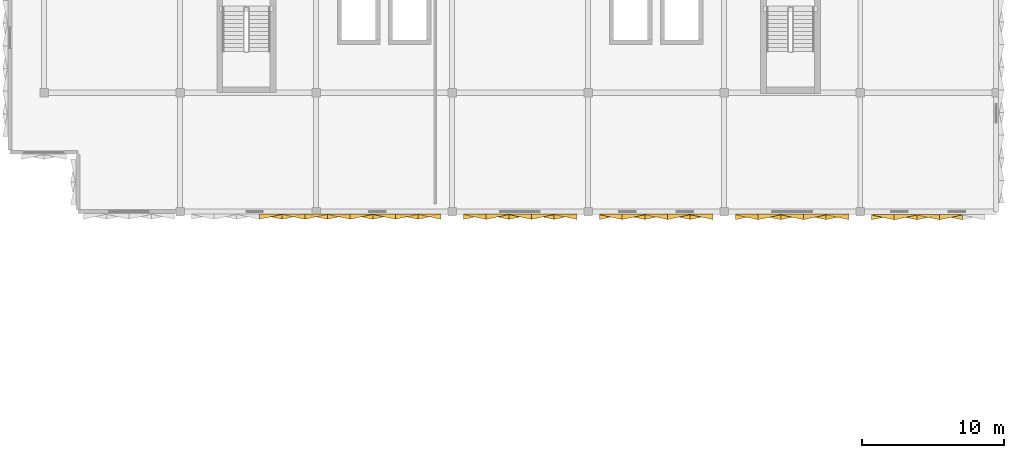
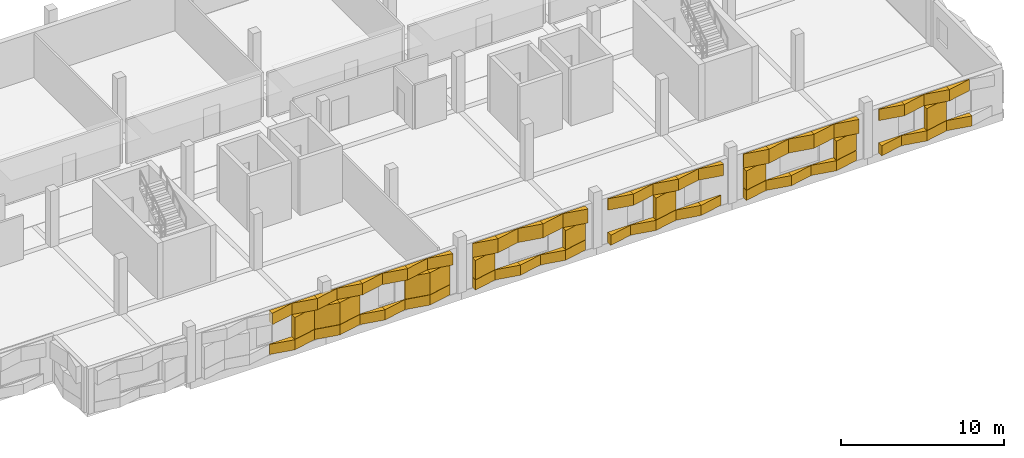
# One storey, part 14 of 18: 65 coverings.
"""IFC4 building model written with IfcOpenShell, lengths in metres."""

from ifc_helpers import new_model, si_unit, direction, frame, origin, place, context, subcontext, project, spatial, polyline, outline, extrude, material, type_object, element, save


model = new_model("IFC4")

# Units and contexts
model_context = context("Model", 3, precision=1e-05, world=origin(), true_north=direction((0.0, 1.0)))
body_context = subcontext(model_context, "Body", "Model", "MODEL_VIEW")
ifc_project = project(units=[si_unit("LENGTHUNIT", "METRE"), si_unit("AREAUNIT", "SQUARE_METRE"), si_unit("VOLUMEUNIT", "CUBIC_METRE"), si_unit("PLANEANGLEUNIT", "RADIAN"), si_unit("MASSUNIT", "GRAM", prefix="KILO")], contexts=[model_context])

# Site, building, storey
site_placement = place(None, origin())
site = spatial("IfcSite", under=ifc_project, at=site_placement, CompositionType="ELEMENT")
building_placement = place(site_placement, origin())
building = spatial("IfcBuilding", under=site, at=building_placement, Name="Oolite Switchyard Hospital", CompositionType="ELEMENT")
storey_placement = place(building_placement, frame((0.0, 0.0, 26.199951171875)))
storey = spatial("IfcBuildingStorey", under=building, at=storey_placement, Name="L06", CompositionType="ELEMENT", Elevation=26.199951171875)

# Coverings
ifc_material = material(Name="Precast oolitic limestone architectural concrete C40/50", Category="masonry")
covering_type = type_object("IfcCoveringType", Name="COV-CHEV-COOL", PredefinedType="CLADDING", material=ifc_material)
covering_1_placement = place(storey_placement, frame((172.0, 100.64990234375, 0.050048828125), z_axis=(0.0, 0.0, 1.0), x_axis=(-1.0, 0.0, 0.0)))
element("IfcCovering", 1, at=covering_1_placement, inside=storey, type_object=covering_type, Name="L06 Chevron Precast Oolite Panel 1444", PredefinedType="CLADDING", context=body_context, shape_type="SweptSolid", body=[
    extrude(outline(polyline([(0.0, 0.0), (1.60009765625, 0.0), (1.60009765625, 0.385009765625), (0.0, 0.044921875), (0.0, 0.0)])), origin(), (0.0, 0.0, 1.0), 0.760009765625),
])
covering_2_placement = place(storey_placement, frame((172.0, 100.64990234375, 2.489990234375), z_axis=(0.0, 0.0, 1.0), x_axis=(-1.0, 0.0, 0.0)))
element("IfcCovering", 2, at=covering_2_placement, inside=storey, type_object=covering_type, Name="L06 Chevron Precast Oolite Panel 1445", PredefinedType="CLADDING", context=body_context, shape_type="SweptSolid", body=[
    extrude(outline(polyline([(0.0, 0.0), (1.60009765625, 0.0), (1.60009765625, 0.044921875), (0.0, 0.385009765625), (0.0, 0.0)])), origin(), (0.0, 0.0, 1.0), 0.85009765625),
])
covering_3_placement = place(storey_placement, frame((172.0, 100.64990234375, 0.830078125), z_axis=(0.0, 0.0, 1.0), x_axis=(-1.0, 0.0, 0.0)))
element("IfcCovering", 3, at=covering_3_placement, inside=storey, type_object=covering_type, Name="L06 Chevron Precast Oolite Panel 1446", PredefinedType="CLADDING", context=body_context, shape_type="SweptSolid", body=[
    extrude(outline(polyline([(0.0, 0.0), (1.60009765625, 0.0), (1.60009765625, 0.385009765625), (0.0, 0.044921875), (0.0, 0.0)])), origin(), (0.0, 0.0, 1.0), 1.639892578125),
])
covering_4_placement = place(storey_placement, frame((170.39990234375, 100.64990234375, 0.050048828125), z_axis=(0.0, 0.0, 1.0), x_axis=(-1.0, 0.0, 0.0)))
element("IfcCovering", 4, at=covering_4_placement, inside=storey, type_object=covering_type, Name="L06 Chevron Precast Oolite Panel 1447", PredefinedType="CLADDING", context=body_context, shape_type="SweptSolid", body=[
    extrude(outline(polyline([(0.0, 0.0), (1.599853515625, 0.0), (1.599853515625, 0.044921875), (0.0, 0.385009765625), (0.0, 0.0)])), origin(), (0.0, 0.0, 1.0), 0.760009765625),
])
covering_5_placement = place(storey_placement, frame((170.39990234375, 100.64990234375, 2.489990234375), z_axis=(0.0, 0.0, 1.0), x_axis=(-1.0, 0.0, 0.0)))
element("IfcCovering", 5, at=covering_5_placement, inside=storey, type_object=covering_type, Name="L06 Chevron Precast Oolite Panel 1448", PredefinedType="CLADDING", context=body_context, shape_type="SweptSolid", body=[
    extrude(outline(polyline([(0.0, 0.0), (1.599853515625, 0.0), (1.599853515625, 0.385009765625), (0.0, 0.044921875), (0.0, 0.0)])), origin(), (0.0, 0.0, 1.0), 0.85009765625),
])
covering_6_placement = place(storey_placement, frame((170.39990234375, 100.64990234375, 0.830078125), z_axis=(0.0, 0.0, 1.0), x_axis=(-1.0, 0.0, 0.0)))
element("IfcCovering", 6, at=covering_6_placement, inside=storey, type_object=covering_type, Name="L06 Chevron Precast Oolite Panel 1449", PredefinedType="CLADDING", context=body_context, shape_type="SweptSolid", body=[
    extrude(outline(polyline([(0.0, 0.0), (1.599853515625, 0.0), (1.599853515625, 0.044921875), (0.0, 0.385009765625), (0.0, 0.0)])), origin(), (0.0, 0.0, 1.0), 1.639892578125),
])
covering_7_placement = place(storey_placement, frame((168.800048828125, 100.64990234375, 0.050048828125), z_axis=(0.0, 0.0, 1.0), x_axis=(-1.0, 0.0, 0.0)))
element("IfcCovering", 7, at=covering_7_placement, inside=storey, type_object=covering_type, Name="L06 Chevron Precast Oolite Panel 1450", PredefinedType="CLADDING", context=body_context, shape_type="SweptSolid", body=[
    extrude(outline(polyline([(0.0, 0.0), (1.60009765625, 0.0), (1.60009765625, 0.385009765625), (0.0, 0.044921875), (0.0, 0.0)])), origin(), (0.0, 0.0, 1.0), 0.760009765625),
])
covering_8_placement = place(storey_placement, frame((168.800048828125, 100.64990234375, 2.489990234375), z_axis=(0.0, 0.0, 1.0), x_axis=(-1.0, 0.0, 0.0)))
element("IfcCovering", 8, at=covering_8_placement, inside=storey, type_object=covering_type, Name="L06 Chevron Precast Oolite Panel 1451", PredefinedType="CLADDING", context=body_context, shape_type="SweptSolid", body=[
    extrude(outline(polyline([(0.0, 0.0), (1.60009765625, 0.0), (1.60009765625, 0.044921875), (0.0, 0.385009765625), (0.0, 0.0)])), origin(), (0.0, 0.0, 1.0), 0.85009765625),
])
covering_9_placement = place(storey_placement, frame((167.199951171875, 100.64990234375, 0.050048828125), z_axis=(0.0, 0.0, 1.0), x_axis=(-1.0, 0.0, 0.0)))
element("IfcCovering", 9, at=covering_9_placement, inside=storey, type_object=covering_type, Name="L06 Chevron Precast Oolite Panel 1452", PredefinedType="CLADDING", context=body_context, shape_type="SweptSolid", body=[
    extrude(outline(polyline([(0.0, 0.0), (1.599853515625, 0.0), (1.599853515625, 0.044921875), (0.0, 0.385009765625), (0.0, 0.0)])), origin(), (0.0, 0.0, 1.0), 0.760009765625),
])
covering_10_placement = place(storey_placement, frame((167.199951171875, 100.64990234375, 2.489990234375), z_axis=(0.0, 0.0, 1.0), x_axis=(-1.0, 0.0, 0.0)))
element("IfcCovering", 10, at=covering_10_placement, inside=storey, type_object=covering_type, Name="L06 Chevron Precast Oolite Panel 1453", PredefinedType="CLADDING", context=body_context, shape_type="SweptSolid", body=[
    extrude(outline(polyline([(0.0, 0.0), (1.599853515625, 0.0), (1.599853515625, 0.385009765625), (0.0, 0.044921875), (0.0, 0.0)])), origin(), (0.0, 0.0, 1.0), 0.85009765625),
])
covering_11_placement = place(storey_placement, frame((165.60009765625, 100.64990234375, 0.050048828125), z_axis=(0.0, 0.0, 1.0), x_axis=(-1.0, 0.0, 0.0)))
element("IfcCovering", 11, at=covering_11_placement, inside=storey, type_object=covering_type, Name="L06 Chevron Precast Oolite Panel 1454", PredefinedType="CLADDING", context=body_context, shape_type="SweptSolid", body=[
    extrude(outline(polyline([(0.0, 0.0), (1.60009765625, 0.0), (1.60009765625, 0.385009765625), (0.0, 0.044921875), (0.0, 0.0)])), origin(), (0.0, 0.0, 1.0), 0.760009765625),
])
covering_12_placement = place(storey_placement, frame((165.60009765625, 100.64990234375, 2.489990234375), z_axis=(0.0, 0.0, 1.0), x_axis=(-1.0, 0.0, 0.0)))
element("IfcCovering", 12, at=covering_12_placement, inside=storey, type_object=covering_type, Name="L06 Chevron Precast Oolite Panel 1455", PredefinedType="CLADDING", context=body_context, shape_type="SweptSolid", body=[
    extrude(outline(polyline([(0.0, 0.0), (1.60009765625, 0.0), (1.60009765625, 0.044921875), (0.0, 0.385009765625), (0.0, 0.0)])), origin(), (0.0, 0.0, 1.0), 0.85009765625),
])
covering_13_placement = place(storey_placement, frame((165.60009765625, 100.64990234375, 0.830078125), z_axis=(0.0, 0.0, 1.0), x_axis=(-1.0, 0.0, 0.0)))
element("IfcCovering", 13, at=covering_13_placement, inside=storey, type_object=covering_type, Name="L06 Chevron Precast Oolite Panel 1456", PredefinedType="CLADDING", context=body_context, shape_type="SweptSolid", body=[
    extrude(outline(polyline([(0.0, 0.0), (1.60009765625, 0.0), (1.60009765625, 0.385009765625), (0.0, 0.044921875), (0.0, 0.0)])), origin(), (0.0, 0.0, 1.0), 1.639892578125),
])
covering_14_placement = place(storey_placement, frame((164.0, 100.64990234375, 0.050048828125), z_axis=(0.0, 0.0, 1.0), x_axis=(-1.0, 0.0, 0.0)))
element("IfcCovering", 14, at=covering_14_placement, inside=storey, type_object=covering_type, Name="L06 Chevron Precast Oolite Panel 1457", PredefinedType="CLADDING", context=body_context, shape_type="SweptSolid", body=[
    extrude(outline(polyline([(0.0, 0.0), (1.60009765625, 0.0), (1.60009765625, 0.044921875), (0.0, 0.385009765625), (0.0, 0.0)])), origin(), (0.0, 0.0, 1.0), 0.760009765625),
])
covering_15_placement = place(storey_placement, frame((164.0, 100.64990234375, 2.489990234375), z_axis=(0.0, 0.0, 1.0), x_axis=(-1.0, 0.0, 0.0)))
element("IfcCovering", 15, at=covering_15_placement, inside=storey, type_object=covering_type, Name="L06 Chevron Precast Oolite Panel 1458", PredefinedType="CLADDING", context=body_context, shape_type="SweptSolid", body=[
    extrude(outline(polyline([(0.0, 0.0), (1.60009765625, 0.0), (1.60009765625, 0.385009765625), (0.0, 0.044921875), (0.0, 0.0)])), origin(), (0.0, 0.0, 1.0), 0.85009765625),
])
covering_16_placement = place(storey_placement, frame((164.0, 100.64990234375, 0.830078125), z_axis=(0.0, 0.0, 1.0), x_axis=(-1.0, 0.0, 0.0)))
element("IfcCovering", 16, at=covering_16_placement, inside=storey, type_object=covering_type, Name="L06 Chevron Precast Oolite Panel 1459", PredefinedType="CLADDING", context=body_context, shape_type="SweptSolid", body=[
    extrude(outline(polyline([(0.0, 0.0), (1.60009765625, 0.0), (1.60009765625, 0.044921875), (0.0, 0.385009765625), (0.0, 0.0)])), origin(), (0.0, 0.0, 1.0), 1.639892578125),
])
covering_17_placement = place(storey_placement, frame((162.39990234375, 100.64990234375, 0.050048828125), z_axis=(0.0, 0.0, 1.0), x_axis=(-1.0, 0.0, 0.0)))
element("IfcCovering", 17, at=covering_17_placement, inside=storey, type_object=covering_type, Name="L06 Chevron Precast Oolite Panel 1460", PredefinedType="CLADDING", context=body_context, shape_type="SweptSolid", body=[
    extrude(outline(polyline([(0.0, 0.0), (1.599853515625, 0.0), (1.599853515625, 0.385009765625), (0.0, 0.044921875), (0.0, 0.0)])), origin(), (0.0, 0.0, 1.0), 0.760009765625),
])
covering_18_placement = place(storey_placement, frame((162.39990234375, 100.64990234375, 2.489990234375), z_axis=(0.0, 0.0, 1.0), x_axis=(-1.0, 0.0, 0.0)))
element("IfcCovering", 18, at=covering_18_placement, inside=storey, type_object=covering_type, Name="L06 Chevron Precast Oolite Panel 1461", PredefinedType="CLADDING", context=body_context, shape_type="SweptSolid", body=[
    extrude(outline(polyline([(0.0, 0.0), (1.599853515625, 0.0), (1.599853515625, 0.044921875), (0.0, 0.385009765625), (0.0, 0.0)])), origin(), (0.0, 0.0, 1.0), 0.85009765625),
])
covering_19_placement = place(storey_placement, frame((162.39990234375, 100.64990234375, 0.830078125), z_axis=(0.0, 0.0, 1.0), x_axis=(-1.0, 0.0, 0.0)))
element("IfcCovering", 19, at=covering_19_placement, inside=storey, type_object=covering_type, Name="L06 Chevron Precast Oolite Panel 1462", PredefinedType="CLADDING", context=body_context, shape_type="SweptSolid", body=[
    extrude(outline(polyline([(0.0, 0.0), (1.599853515625, 0.0), (1.599853515625, 0.385009765625), (0.0, 0.044921875), (0.0, 0.0)])), origin(), (0.0, 0.0, 1.0), 1.639892578125),
])
covering_20_placement = place(storey_placement, frame((160.800048828125, 100.64990234375, 0.050048828125), z_axis=(0.0, 0.0, 1.0), x_axis=(-1.0, 0.0, 0.0)))
element("IfcCovering", 20, at=covering_20_placement, inside=storey, type_object=covering_type, Name="L06 Chevron Precast Oolite Panel 1463", PredefinedType="CLADDING", context=body_context, shape_type="SweptSolid", body=[
    extrude(outline(polyline([(0.0, 0.0), (1.60009765625, 0.0), (1.60009765625, 0.044921875), (0.0, 0.385009765625), (0.0, 0.0)])), origin(), (0.0, 0.0, 1.0), 0.760009765625),
])
covering_21_placement = place(storey_placement, frame((160.800048828125, 100.64990234375, 2.489990234375), z_axis=(0.0, 0.0, 1.0), x_axis=(-1.0, 0.0, 0.0)))
element("IfcCovering", 21, at=covering_21_placement, inside=storey, type_object=covering_type, Name="L06 Chevron Precast Oolite Panel 1464", PredefinedType="CLADDING", context=body_context, shape_type="SweptSolid", body=[
    extrude(outline(polyline([(0.0, 0.0), (1.60009765625, 0.0), (1.60009765625, 0.385009765625), (0.0, 0.044921875), (0.0, 0.0)])), origin(), (0.0, 0.0, 1.0), 0.85009765625),
])
covering_22_placement = place(storey_placement, frame((181.60009765625, 100.639892578125, 0.050048828125), z_axis=(0.0, 0.0, 1.0), x_axis=(-1.0, 0.0, 0.0)))
element("IfcCovering", 22, at=covering_22_placement, inside=storey, type_object=covering_type, Name="L06 Chevron Precast Oolite Panel 1473", PredefinedType="CLADDING", context=body_context, shape_type="SweptSolid", body=[
    extrude(outline(polyline([(0.0, 0.0), (1.60009765625, 0.0), (1.60009765625, 0.385009765625), (0.0, 0.044921875), (0.0, 0.0)])), origin(), (0.0, 0.0, 1.0), 0.760009765625),
])
covering_23_placement = place(storey_placement, frame((181.60009765625, 100.639892578125, 2.2900390625), z_axis=(0.0, 0.0, 1.0), x_axis=(-1.0, 0.0, 0.0)))
element("IfcCovering", 23, at=covering_23_placement, inside=storey, type_object=covering_type, Name="L06 Chevron Precast Oolite Panel 1474", PredefinedType="CLADDING", context=body_context, shape_type="SweptSolid", body=[
    extrude(outline(polyline([(0.0, 0.0), (1.60009765625, 0.0), (1.60009765625, 0.044921875), (0.0, 0.385009765625), (0.0, 0.0)])), origin(), (0.0, 0.0, 1.0), 1.050048828125),
])
covering_24_placement = place(storey_placement, frame((181.60009765625, 100.639892578125, 0.830078125), z_axis=(0.0, 0.0, 1.0), x_axis=(-1.0, 0.0, 0.0)))
element("IfcCovering", 24, at=covering_24_placement, inside=storey, type_object=covering_type, Name="L06 Chevron Precast Oolite Panel 1475", PredefinedType="CLADDING", context=body_context, shape_type="SweptSolid", body=[
    extrude(outline(polyline([(0.0, 0.0), (1.60009765625, 0.0), (1.60009765625, 0.385009765625), (0.0, 0.044921875), (0.0, 0.0)])), origin(), (0.0, 0.0, 1.0), 1.43994140625),
])
covering_25_placement = place(storey_placement, frame((180.0, 100.639892578125, 0.050048828125), z_axis=(0.0, 0.0, 1.0), x_axis=(-1.0, 0.0, 0.0)))
element("IfcCovering", 25, at=covering_25_placement, inside=storey, type_object=covering_type, Name="L06 Chevron Precast Oolite Panel 1476", PredefinedType="CLADDING", context=body_context, shape_type="SweptSolid", body=[
    extrude(outline(polyline([(0.0, 0.0), (1.60009765625, 0.0), (1.60009765625, 0.044921875), (0.0, 0.385009765625), (0.0, 0.0)])), origin(), (0.0, 0.0, 1.0), 0.760009765625),
])
covering_26_placement = place(storey_placement, frame((180.0, 100.639892578125, 2.2900390625), z_axis=(0.0, 0.0, 1.0), x_axis=(-1.0, 0.0, 0.0)))
element("IfcCovering", 26, at=covering_26_placement, inside=storey, type_object=covering_type, Name="L06 Chevron Precast Oolite Panel 1477", PredefinedType="CLADDING", context=body_context, shape_type="SweptSolid", body=[
    extrude(outline(polyline([(0.0, 0.0), (1.60009765625, 0.0), (1.60009765625, 0.385009765625), (0.0, 0.044921875), (0.0, 0.0)])), origin(), (0.0, 0.0, 1.0), 1.050048828125),
])
covering_27_placement = place(storey_placement, frame((178.39990234375, 100.639892578125, 0.050048828125), z_axis=(0.0, 0.0, 1.0), x_axis=(-1.0, 0.0, 0.0)))
element("IfcCovering", 27, at=covering_27_placement, inside=storey, type_object=covering_type, Name="L06 Chevron Precast Oolite Panel 1478", PredefinedType="CLADDING", context=body_context, shape_type="SweptSolid", body=[
    extrude(outline(polyline([(0.0, 0.0), (1.599853515625, 0.0), (1.599853515625, 0.385009765625), (0.0, 0.044921875), (0.0, 0.0)])), origin(), (0.0, 0.0, 1.0), 0.760009765625),
])
covering_28_placement = place(storey_placement, frame((178.39990234375, 100.639892578125, 2.2900390625), z_axis=(0.0, 0.0, 1.0), x_axis=(-1.0, 0.0, 0.0)))
element("IfcCovering", 28, at=covering_28_placement, inside=storey, type_object=covering_type, Name="L06 Chevron Precast Oolite Panel 1479", PredefinedType="CLADDING", context=body_context, shape_type="SweptSolid", body=[
    extrude(outline(polyline([(0.0, 0.0), (1.599853515625, 0.0), (1.599853515625, 0.044921875), (0.0, 0.385009765625), (0.0, 0.0)])), origin(), (0.0, 0.0, 1.0), 1.050048828125),
])
covering_29_placement = place(storey_placement, frame((176.800048828125, 100.639892578125, 0.050048828125), z_axis=(0.0, 0.0, 1.0), x_axis=(-1.0, 0.0, 0.0)))
element("IfcCovering", 29, at=covering_29_placement, inside=storey, type_object=covering_type, Name="L06 Chevron Precast Oolite Panel 1480", PredefinedType="CLADDING", context=body_context, shape_type="SweptSolid", body=[
    extrude(outline(polyline([(0.0, 0.0), (1.60009765625, 0.0), (1.60009765625, 0.044921875), (0.0, 0.385009765625), (0.0, 0.0)])), origin(), (0.0, 0.0, 1.0), 0.760009765625),
])
covering_30_placement = place(storey_placement, frame((176.800048828125, 100.639892578125, 2.2900390625), z_axis=(0.0, 0.0, 1.0), x_axis=(-1.0, 0.0, 0.0)))
element("IfcCovering", 30, at=covering_30_placement, inside=storey, type_object=covering_type, Name="L06 Chevron Precast Oolite Panel 1481", PredefinedType="CLADDING", context=body_context, shape_type="SweptSolid", body=[
    extrude(outline(polyline([(0.0, 0.0), (1.60009765625, 0.0), (1.60009765625, 0.385009765625), (0.0, 0.044921875), (0.0, 0.0)])), origin(), (0.0, 0.0, 1.0), 1.050048828125),
])
covering_31_placement = place(storey_placement, frame((175.199951171875, 100.639892578125, 0.050048828125), z_axis=(0.0, 0.0, 1.0), x_axis=(-1.0, 0.0, 0.0)))
element("IfcCovering", 31, at=covering_31_placement, inside=storey, type_object=covering_type, Name="L06 Chevron Precast Oolite Panel 1482", PredefinedType="CLADDING", context=body_context, shape_type="SweptSolid", body=[
    extrude(outline(polyline([(0.0, 0.0), (1.599853515625, 0.0), (1.599853515625, 0.385009765625), (0.0, 0.044921875), (0.0, 0.0)])), origin(), (0.0, 0.0, 1.0), 0.760009765625),
])
covering_32_placement = place(storey_placement, frame((175.199951171875, 100.639892578125, 2.2900390625), z_axis=(0.0, 0.0, 1.0), x_axis=(-1.0, 0.0, 0.0)))
element("IfcCovering", 32, at=covering_32_placement, inside=storey, type_object=covering_type, Name="L06 Chevron Precast Oolite Panel 1483", PredefinedType="CLADDING", context=body_context, shape_type="SweptSolid", body=[
    extrude(outline(polyline([(0.0, 0.0), (1.599853515625, 0.0), (1.599853515625, 0.044921875), (0.0, 0.385009765625), (0.0, 0.0)])), origin(), (0.0, 0.0, 1.0), 1.050048828125),
])
covering_33_placement = place(storey_placement, frame((175.199951171875, 100.639892578125, 0.830078125), z_axis=(0.0, 0.0, 1.0), x_axis=(-1.0, 0.0, 0.0)))
element("IfcCovering", 33, at=covering_33_placement, inside=storey, type_object=covering_type, Name="L06 Chevron Precast Oolite Panel 1484", PredefinedType="CLADDING", context=body_context, shape_type="SweptSolid", body=[
    extrude(outline(polyline([(0.0, 0.0), (1.599853515625, 0.0), (1.599853515625, 0.385009765625), (0.0, 0.044921875), (0.0, 0.0)])), origin(), (0.0, 0.0, 1.0), 1.43994140625),
])
covering_34_placement = place(storey_placement, frame((191.199951171875, 100.6298828125, 0.050048828125), z_axis=(0.0, 0.0, 1.0), x_axis=(-1.0, 0.0, 0.0)))
element("IfcCovering", 34, at=covering_34_placement, inside=storey, type_object=covering_type, Name="L06 Chevron Precast Oolite Panel 1485", PredefinedType="CLADDING", context=body_context, shape_type="SweptSolid", body=[
    extrude(outline(polyline([(0.0, 0.0), (1.599853515625, 0.0), (1.599853515625, 0.385009765625), (0.0, 0.044921875), (0.0, 0.0)])), origin(), (0.0, 0.0, 1.0), 0.760009765625),
])
covering_35_placement = place(storey_placement, frame((191.199951171875, 100.6298828125, 2.489990234375), z_axis=(0.0, 0.0, 1.0), x_axis=(-1.0, 0.0, 0.0)))
element("IfcCovering", 35, at=covering_35_placement, inside=storey, type_object=covering_type, Name="L06 Chevron Precast Oolite Panel 1486", PredefinedType="CLADDING", context=body_context, shape_type="SweptSolid", body=[
    extrude(outline(polyline([(0.0, 0.0), (1.599853515625, 0.0), (1.599853515625, 0.044921875), (0.0, 0.385009765625), (0.0, 0.0)])), origin(), (0.0, 0.0, 1.0), 0.85009765625),
])
covering_36_placement = place(storey_placement, frame((189.60009765625, 100.6298828125, 0.050048828125), z_axis=(0.0, 0.0, 1.0), x_axis=(-1.0, 0.0, 0.0)))
element("IfcCovering", 36, at=covering_36_placement, inside=storey, type_object=covering_type, Name="L06 Chevron Precast Oolite Panel 1487", PredefinedType="CLADDING", context=body_context, shape_type="SweptSolid", body=[
    extrude(outline(polyline([(0.0, 0.0), (1.60009765625, 0.0), (1.60009765625, 0.044921875), (0.0, 0.385009765625), (0.0, 0.0)])), origin(), (0.0, 0.0, 1.0), 0.760009765625),
])
covering_37_placement = place(storey_placement, frame((189.60009765625, 100.6298828125, 2.489990234375), z_axis=(0.0, 0.0, 1.0), x_axis=(-1.0, 0.0, 0.0)))
element("IfcCovering", 37, at=covering_37_placement, inside=storey, type_object=covering_type, Name="L06 Chevron Precast Oolite Panel 1488", PredefinedType="CLADDING", context=body_context, shape_type="SweptSolid", body=[
    extrude(outline(polyline([(0.0, 0.0), (1.60009765625, 0.0), (1.60009765625, 0.385009765625), (0.0, 0.044921875), (0.0, 0.0)])), origin(), (0.0, 0.0, 1.0), 0.85009765625),
])
covering_38_placement = place(storey_placement, frame((188.0, 100.6298828125, 0.050048828125), z_axis=(0.0, 0.0, 1.0), x_axis=(-1.0, 0.0, 0.0)))
element("IfcCovering", 38, at=covering_38_placement, inside=storey, type_object=covering_type, Name="L06 Chevron Precast Oolite Panel 1489", PredefinedType="CLADDING", context=body_context, shape_type="SweptSolid", body=[
    extrude(outline(polyline([(0.0, 0.0), (1.60009765625, 0.0), (1.60009765625, 0.385009765625), (0.0, 0.044921875), (0.0, 0.0)])), origin(), (0.0, 0.0, 1.0), 0.760009765625),
])
covering_39_placement = place(storey_placement, frame((188.0, 100.6298828125, 2.489990234375), z_axis=(0.0, 0.0, 1.0), x_axis=(-1.0, 0.0, 0.0)))
element("IfcCovering", 39, at=covering_39_placement, inside=storey, type_object=covering_type, Name="L06 Chevron Precast Oolite Panel 1490", PredefinedType="CLADDING", context=body_context, shape_type="SweptSolid", body=[
    extrude(outline(polyline([(0.0, 0.0), (1.60009765625, 0.0), (1.60009765625, 0.044921875), (0.0, 0.385009765625), (0.0, 0.0)])), origin(), (0.0, 0.0, 1.0), 0.85009765625),
])
covering_40_placement = place(storey_placement, frame((188.0, 100.6298828125, 0.830078125), z_axis=(0.0, 0.0, 1.0), x_axis=(-1.0, 0.0, 0.0)))
element("IfcCovering", 40, at=covering_40_placement, inside=storey, type_object=covering_type, Name="L06 Chevron Precast Oolite Panel 1491", PredefinedType="CLADDING", context=body_context, shape_type="SweptSolid", body=[
    extrude(outline(polyline([(0.0, 0.0), (1.60009765625, 0.0), (1.60009765625, 0.385009765625), (0.0, 0.044921875), (0.0, 0.0)])), origin(), (0.0, 0.0, 1.0), 1.639892578125),
])
covering_41_placement = place(storey_placement, frame((186.39990234375, 100.6298828125, 0.050048828125), z_axis=(0.0, 0.0, 1.0), x_axis=(-1.0, 0.0, 0.0)))
element("IfcCovering", 41, at=covering_41_placement, inside=storey, type_object=covering_type, Name="L06 Chevron Precast Oolite Panel 1492", PredefinedType="CLADDING", context=body_context, shape_type="SweptSolid", body=[
    extrude(outline(polyline([(0.0, 0.0), (1.599853515625, 0.0), (1.599853515625, 0.044921875), (0.0, 0.385009765625), (0.0, 0.0)])), origin(), (0.0, 0.0, 1.0), 0.760009765625),
])
covering_42_placement = place(storey_placement, frame((186.39990234375, 100.6298828125, 2.489990234375), z_axis=(0.0, 0.0, 1.0), x_axis=(-1.0, 0.0, 0.0)))
element("IfcCovering", 42, at=covering_42_placement, inside=storey, type_object=covering_type, Name="L06 Chevron Precast Oolite Panel 1493", PredefinedType="CLADDING", context=body_context, shape_type="SweptSolid", body=[
    extrude(outline(polyline([(0.0, 0.0), (1.599853515625, 0.0), (1.599853515625, 0.385009765625), (0.0, 0.044921875), (0.0, 0.0)])), origin(), (0.0, 0.0, 1.0), 0.85009765625),
])
covering_43_placement = place(storey_placement, frame((184.800048828125, 100.6298828125, 0.050048828125), z_axis=(0.0, 0.0, 1.0), x_axis=(-1.0, 0.0, 0.0)))
element("IfcCovering", 43, at=covering_43_placement, inside=storey, type_object=covering_type, Name="L06 Chevron Precast Oolite Panel 1494", PredefinedType="CLADDING", context=body_context, shape_type="SweptSolid", body=[
    extrude(outline(polyline([(0.0, 0.0), (1.60009765625, 0.0), (1.60009765625, 0.385009765625), (0.0, 0.044921875), (0.0, 0.0)])), origin(), (0.0, 0.0, 1.0), 0.760009765625),
])
covering_44_placement = place(storey_placement, frame((184.800048828125, 100.6298828125, 2.489990234375), z_axis=(0.0, 0.0, 1.0), x_axis=(-1.0, 0.0, 0.0)))
element("IfcCovering", 44, at=covering_44_placement, inside=storey, type_object=covering_type, Name="L06 Chevron Precast Oolite Panel 1495", PredefinedType="CLADDING", context=body_context, shape_type="SweptSolid", body=[
    extrude(outline(polyline([(0.0, 0.0), (1.60009765625, 0.0), (1.60009765625, 0.044921875), (0.0, 0.385009765625), (0.0, 0.0)])), origin(), (0.0, 0.0, 1.0), 0.85009765625),
])
covering_45_placement = place(storey_placement, frame((200.800048828125, 100.6201171875, 0.050048828125), z_axis=(0.0, 0.0, 1.0), x_axis=(-1.0, 0.0, 0.0)))
element("IfcCovering", 45, at=covering_45_placement, inside=storey, type_object=covering_type, Name="L06 Chevron Precast Oolite Panel 1496", PredefinedType="CLADDING", context=body_context, shape_type="SweptSolid", body=[
    extrude(outline(polyline([(0.0, 0.0), (1.60009765625, 0.0), (1.60009765625, 0.385009765625), (0.0, 0.044921875), (0.0, 0.0)])), origin(), (0.0, 0.0, 1.0), 0.760009765625),
])
covering_46_placement = place(storey_placement, frame((200.800048828125, 100.6201171875, 2.2900390625), z_axis=(0.0, 0.0, 1.0), x_axis=(-1.0, 0.0, 0.0)))
element("IfcCovering", 46, at=covering_46_placement, inside=storey, type_object=covering_type, Name="L06 Chevron Precast Oolite Panel 1497", PredefinedType="CLADDING", context=body_context, shape_type="SweptSolid", body=[
    extrude(outline(polyline([(0.0, 0.0), (1.60009765625, 0.0), (1.60009765625, 0.044921875), (0.0, 0.385009765625), (0.0, 0.0)])), origin(), (0.0, 0.0, 1.0), 1.050048828125),
])
covering_47_placement = place(storey_placement, frame((200.800048828125, 100.6201171875, 0.830078125), z_axis=(0.0, 0.0, 1.0), x_axis=(-1.0, 0.0, 0.0)))
element("IfcCovering", 47, at=covering_47_placement, inside=storey, type_object=covering_type, Name="L06 Chevron Precast Oolite Panel 1498", PredefinedType="CLADDING", context=body_context, shape_type="SweptSolid", body=[
    extrude(outline(polyline([(0.0, 0.0), (1.60009765625, 0.0), (1.60009765625, 0.385009765625), (0.0, 0.044921875), (0.0, 0.0)])), origin(), (0.0, 0.0, 1.0), 1.43994140625),
])
covering_48_placement = place(storey_placement, frame((199.199951171875, 100.6201171875, 0.050048828125), z_axis=(0.0, 0.0, 1.0), x_axis=(-1.0, 0.0, 0.0)))
element("IfcCovering", 48, at=covering_48_placement, inside=storey, type_object=covering_type, Name="L06 Chevron Precast Oolite Panel 1499", PredefinedType="CLADDING", context=body_context, shape_type="SweptSolid", body=[
    extrude(outline(polyline([(0.0, 0.0), (1.599853515625, 0.0), (1.599853515625, 0.044921875), (0.0, 0.385009765625), (0.0, 0.0)])), origin(), (0.0, 0.0, 1.0), 0.760009765625),
])
covering_49_placement = place(storey_placement, frame((199.199951171875, 100.6201171875, 2.2900390625), z_axis=(0.0, 0.0, 1.0), x_axis=(-1.0, 0.0, 0.0)))
element("IfcCovering", 49, at=covering_49_placement, inside=storey, type_object=covering_type, Name="L06 Chevron Precast Oolite Panel 1500", PredefinedType="CLADDING", context=body_context, shape_type="SweptSolid", body=[
    extrude(outline(polyline([(0.0, 0.0), (1.599853515625, 0.0), (1.599853515625, 0.385009765625), (0.0, 0.044921875), (0.0, 0.0)])), origin(), (0.0, 0.0, 1.0), 1.050048828125),
])
covering_50_placement = place(storey_placement, frame((197.60009765625, 100.6201171875, 0.050048828125), z_axis=(0.0, 0.0, 1.0), x_axis=(-1.0, 0.0, 0.0)))
element("IfcCovering", 50, at=covering_50_placement, inside=storey, type_object=covering_type, Name="L06 Chevron Precast Oolite Panel 1501", PredefinedType="CLADDING", context=body_context, shape_type="SweptSolid", body=[
    extrude(outline(polyline([(0.0, 0.0), (1.60009765625, 0.0), (1.60009765625, 0.385009765625), (0.0, 0.044921875), (0.0, 0.0)])), origin(), (0.0, 0.0, 1.0), 0.760009765625),
])
covering_51_placement = place(storey_placement, frame((197.60009765625, 100.6201171875, 2.2900390625), z_axis=(0.0, 0.0, 1.0), x_axis=(-1.0, 0.0, 0.0)))
element("IfcCovering", 51, at=covering_51_placement, inside=storey, type_object=covering_type, Name="L06 Chevron Precast Oolite Panel 1502", PredefinedType="CLADDING", context=body_context, shape_type="SweptSolid", body=[
    extrude(outline(polyline([(0.0, 0.0), (1.60009765625, 0.0), (1.60009765625, 0.044921875), (0.0, 0.385009765625), (0.0, 0.0)])), origin(), (0.0, 0.0, 1.0), 1.050048828125),
])
covering_52_placement = place(storey_placement, frame((196.0, 100.6201171875, 0.050048828125), z_axis=(0.0, 0.0, 1.0), x_axis=(-1.0, 0.0, 0.0)))
element("IfcCovering", 52, at=covering_52_placement, inside=storey, type_object=covering_type, Name="L06 Chevron Precast Oolite Panel 1503", PredefinedType="CLADDING", context=body_context, shape_type="SweptSolid", body=[
    extrude(outline(polyline([(0.0, 0.0), (1.60009765625, 0.0), (1.60009765625, 0.044921875), (0.0, 0.385009765625), (0.0, 0.0)])), origin(), (0.0, 0.0, 1.0), 0.760009765625),
])
covering_53_placement = place(storey_placement, frame((196.0, 100.6201171875, 2.2900390625), z_axis=(0.0, 0.0, 1.0), x_axis=(-1.0, 0.0, 0.0)))
element("IfcCovering", 53, at=covering_53_placement, inside=storey, type_object=covering_type, Name="L06 Chevron Precast Oolite Panel 1504", PredefinedType="CLADDING", context=body_context, shape_type="SweptSolid", body=[
    extrude(outline(polyline([(0.0, 0.0), (1.60009765625, 0.0), (1.60009765625, 0.385009765625), (0.0, 0.044921875), (0.0, 0.0)])), origin(), (0.0, 0.0, 1.0), 1.050048828125),
])
covering_54_placement = place(storey_placement, frame((194.39990234375, 100.6201171875, 0.050048828125), z_axis=(0.0, 0.0, 1.0), x_axis=(-1.0, 0.0, 0.0)))
element("IfcCovering", 54, at=covering_54_placement, inside=storey, type_object=covering_type, Name="L06 Chevron Precast Oolite Panel 1505", PredefinedType="CLADDING", context=body_context, shape_type="SweptSolid", body=[
    extrude(outline(polyline([(0.0, 0.0), (1.599853515625, 0.0), (1.599853515625, 0.385009765625), (0.0, 0.044921875), (0.0, 0.0)])), origin(), (0.0, 0.0, 1.0), 0.760009765625),
])
covering_55_placement = place(storey_placement, frame((194.39990234375, 100.6201171875, 2.2900390625), z_axis=(0.0, 0.0, 1.0), x_axis=(-1.0, 0.0, 0.0)))
element("IfcCovering", 55, at=covering_55_placement, inside=storey, type_object=covering_type, Name="L06 Chevron Precast Oolite Panel 1506", PredefinedType="CLADDING", context=body_context, shape_type="SweptSolid", body=[
    extrude(outline(polyline([(0.0, 0.0), (1.599853515625, 0.0), (1.599853515625, 0.044921875), (0.0, 0.385009765625), (0.0, 0.0)])), origin(), (0.0, 0.0, 1.0), 1.050048828125),
])
covering_56_placement = place(storey_placement, frame((194.39990234375, 100.6201171875, 0.830078125), z_axis=(0.0, 0.0, 1.0), x_axis=(-1.0, 0.0, 0.0)))
element("IfcCovering", 56, at=covering_56_placement, inside=storey, type_object=covering_type, Name="L06 Chevron Precast Oolite Panel 1507", PredefinedType="CLADDING", context=body_context, shape_type="SweptSolid", body=[
    extrude(outline(polyline([(0.0, 0.0), (1.599853515625, 0.0), (1.599853515625, 0.385009765625), (0.0, 0.044921875), (0.0, 0.0)])), origin(), (0.0, 0.0, 1.0), 1.43994140625),
])
covering_57_placement = place(storey_placement, frame((208.800048828125, 100.610107421875, 0.050048828125), z_axis=(0.0, 0.0, 1.0), x_axis=(-1.0, 0.0, 0.0)))
element("IfcCovering", 57, at=covering_57_placement, inside=storey, type_object=covering_type, Name="L06 Chevron Precast Oolite Panel 1510", PredefinedType="CLADDING", context=body_context, shape_type="SweptSolid", body=[
    extrude(outline(polyline([(0.0, 0.0), (1.60009765625, 0.0), (1.60009765625, 0.044921875), (0.0, 0.385009765625), (0.0, 0.0)])), origin(), (0.0, 0.0, 1.0), 0.760009765625),
])
covering_58_placement = place(storey_placement, frame((208.800048828125, 100.610107421875, 2.489990234375), z_axis=(0.0, 0.0, 1.0), x_axis=(-1.0, 0.0, 0.0)))
element("IfcCovering", 58, at=covering_58_placement, inside=storey, type_object=covering_type, Name="L06 Chevron Precast Oolite Panel 1511", PredefinedType="CLADDING", context=body_context, shape_type="SweptSolid", body=[
    extrude(outline(polyline([(0.0, 0.0), (1.60009765625, 0.0), (1.60009765625, 0.385009765625), (0.0, 0.044921875), (0.0, 0.0)])), origin(), (0.0, 0.0, 1.0), 0.85009765625),
])
covering_59_placement = place(storey_placement, frame((207.199951171875, 100.610107421875, 0.050048828125), z_axis=(0.0, 0.0, 1.0), x_axis=(-1.0, 0.0, 0.0)))
element("IfcCovering", 59, at=covering_59_placement, inside=storey, type_object=covering_type, Name="L06 Chevron Precast Oolite Panel 1512", PredefinedType="CLADDING", context=body_context, shape_type="SweptSolid", body=[
    extrude(outline(polyline([(0.0, 0.0), (1.599853515625, 0.0), (1.599853515625, 0.385009765625), (0.0, 0.044921875), (0.0, 0.0)])), origin(), (0.0, 0.0, 1.0), 0.760009765625),
])
covering_60_placement = place(storey_placement, frame((207.199951171875, 100.610107421875, 2.489990234375), z_axis=(0.0, 0.0, 1.0), x_axis=(-1.0, 0.0, 0.0)))
element("IfcCovering", 60, at=covering_60_placement, inside=storey, type_object=covering_type, Name="L06 Chevron Precast Oolite Panel 1513", PredefinedType="CLADDING", context=body_context, shape_type="SweptSolid", body=[
    extrude(outline(polyline([(0.0, 0.0), (1.599853515625, 0.0), (1.599853515625, 0.044921875), (0.0, 0.385009765625), (0.0, 0.0)])), origin(), (0.0, 0.0, 1.0), 0.85009765625),
])
covering_61_placement = place(storey_placement, frame((207.199951171875, 100.610107421875, 0.830078125), z_axis=(0.0, 0.0, 1.0), x_axis=(-1.0, 0.0, 0.0)))
element("IfcCovering", 61, at=covering_61_placement, inside=storey, type_object=covering_type, Name="L06 Chevron Precast Oolite Panel 1514", PredefinedType="CLADDING", context=body_context, shape_type="SweptSolid", body=[
    extrude(outline(polyline([(0.0, 0.0), (1.599853515625, 0.0), (1.599853515625, 0.385009765625), (0.0, 0.044921875), (0.0, 0.0)])), origin(), (0.0, 0.0, 1.0), 1.639892578125),
])
covering_62_placement = place(storey_placement, frame((205.60009765625, 100.610107421875, 0.050048828125), z_axis=(0.0, 0.0, 1.0), x_axis=(-1.0, 0.0, 0.0)))
element("IfcCovering", 62, at=covering_62_placement, inside=storey, type_object=covering_type, Name="L06 Chevron Precast Oolite Panel 1515", PredefinedType="CLADDING", context=body_context, shape_type="SweptSolid", body=[
    extrude(outline(polyline([(0.0, 0.0), (1.60009765625, 0.0), (1.60009765625, 0.044921875), (0.0, 0.385009765625), (0.0, 0.0)])), origin(), (0.0, 0.0, 1.0), 0.760009765625),
])
covering_63_placement = place(storey_placement, frame((205.60009765625, 100.610107421875, 2.489990234375), z_axis=(0.0, 0.0, 1.0), x_axis=(-1.0, 0.0, 0.0)))
element("IfcCovering", 63, at=covering_63_placement, inside=storey, type_object=covering_type, Name="L06 Chevron Precast Oolite Panel 1516", PredefinedType="CLADDING", context=body_context, shape_type="SweptSolid", body=[
    extrude(outline(polyline([(0.0, 0.0), (1.60009765625, 0.0), (1.60009765625, 0.385009765625), (0.0, 0.044921875), (0.0, 0.0)])), origin(), (0.0, 0.0, 1.0), 0.85009765625),
])
covering_64_placement = place(storey_placement, frame((204.0, 100.610107421875, 0.050048828125), z_axis=(0.0, 0.0, 1.0), x_axis=(-1.0, 0.0, 0.0)))
element("IfcCovering", 64, at=covering_64_placement, inside=storey, type_object=covering_type, Name="L06 Chevron Precast Oolite Panel 1517", PredefinedType="CLADDING", context=body_context, shape_type="SweptSolid", body=[
    extrude(outline(polyline([(0.0, 0.0), (1.60009765625, 0.0), (1.60009765625, 0.385009765625), (0.0, 0.044921875), (0.0, 0.0)])), origin(), (0.0, 0.0, 1.0), 0.760009765625),
])
covering_65_placement = place(storey_placement, frame((204.0, 100.610107421875, 2.489990234375), z_axis=(0.0, 0.0, 1.0), x_axis=(-1.0, 0.0, 0.0)))
element("IfcCovering", 65, at=covering_65_placement, inside=storey, type_object=covering_type, Name="L06 Chevron Precast Oolite Panel 1518", PredefinedType="CLADDING", context=body_context, shape_type="SweptSolid", body=[
    extrude(outline(polyline([(0.0, 0.0), (1.60009765625, 0.0), (1.60009765625, 0.044921875), (0.0, 0.385009765625), (0.0, 0.0)])), origin(), (0.0, 0.0, 1.0), 0.85009765625),
])

save(model, "model.ifc")
